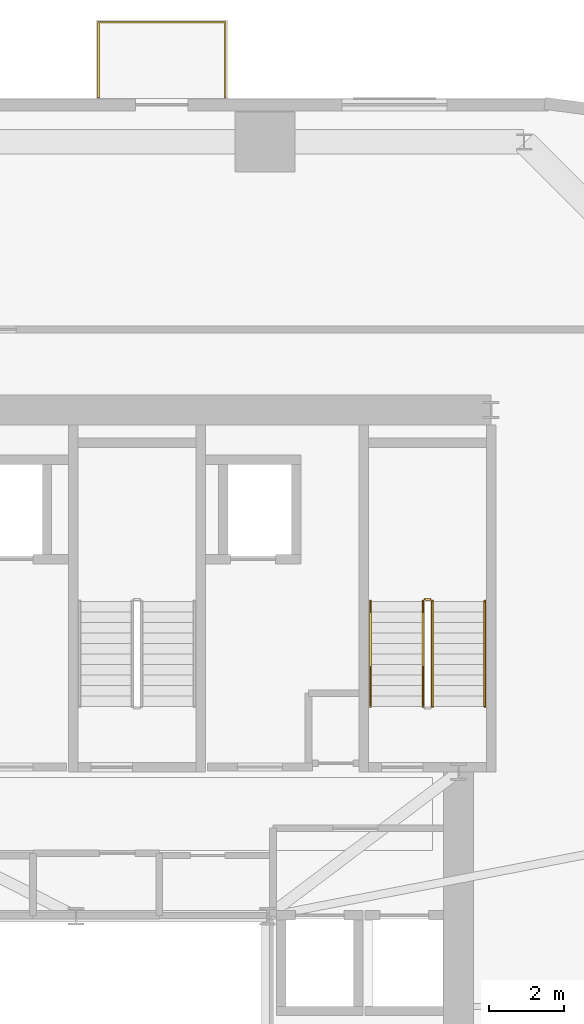
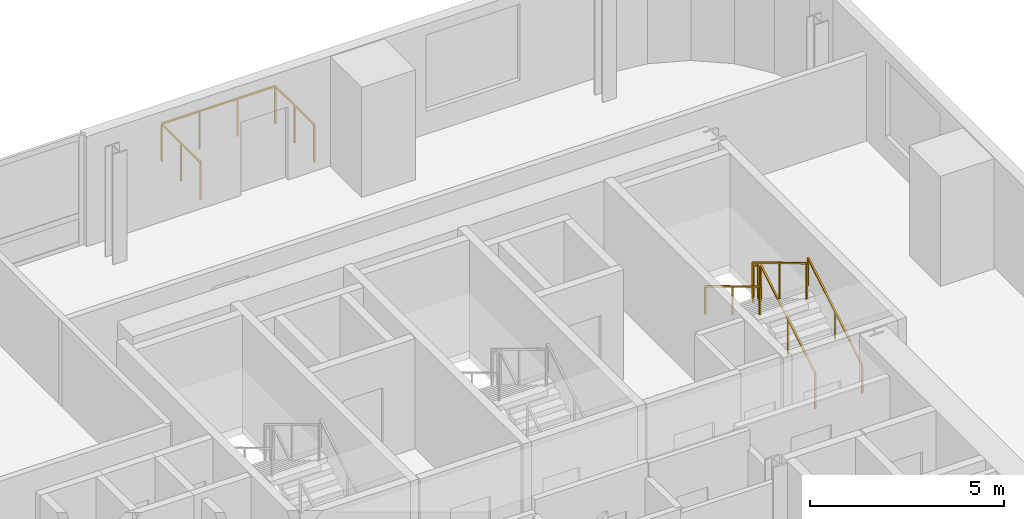
# One storey, part 14 of 14: 6 railings.
"""IFC4 building model written with IfcOpenShell, lengths in metres."""

from ifc_helpers import new_model, si_unit, direction, frame, origin, origin_2d, place, context, subcontext, project, spatial, rectangle, extrude, source, transform, mapped, material, type_object, element, save


model = new_model("IFC4")

# Units and contexts
model_context = context("Model", 3, precision=1e-05, world=origin(), true_north=direction((0.0, 1.0)))
body_context = subcontext(model_context, "Body", "Model", "MODEL_VIEW")
ifc_project = project(units=[si_unit("LENGTHUNIT", "METRE"), si_unit("AREAUNIT", "SQUARE_METRE"), si_unit("VOLUMEUNIT", "CUBIC_METRE"), si_unit("PLANEANGLEUNIT", "RADIAN"), si_unit("MASSUNIT", "GRAM", prefix="KILO")], contexts=[model_context])

# Site, building, storey
site_placement = place(None, origin())
site = spatial("IfcSite", under=ifc_project, at=site_placement, CompositionType="ELEMENT")
building_placement = place(site_placement, origin())
building = spatial("IfcBuilding", under=site, at=building_placement, Name="Vardaveli Station Tower", CompositionType="ELEMENT")
storey_placement = place(building_placement, frame((0.0, 0.0, 148.300048828125)))
storey = spatial("IfcBuildingStorey", under=building, at=storey_placement, Name="L38", CompositionType="ELEMENT", Elevation=148.300048828125)

# Railings
ifc_material_1 = material(Name="Laminated glass and stainless steel balustrade", Category="steel")
railing_type_1 = type_object("IfcRailingType", Name="RL-BAL-1200", PredefinedType="BALUSTRADE", material=ifc_material_1)
shared_shape_1 = source(origin(), body_context, "Body", "SweptSolid", [
    extrude(rectangle(XDim=0.048095703125, YDim=0.048095703125, at=origin_2d()), frame((0.0, 0.0, 1.17578125), z_axis=(0.0, 1.0, 0.0), x_axis=(-1.0, 0.0, 0.0)), (0.0, 0.0, 1.0), 2.0),
    extrude(rectangle(XDim=0.048095703125, YDim=0.048095703125, at=origin_2d()), frame((0.0, 2.0, 1.17578125), z_axis=(1.0, 0.0, 0.0), x_axis=(0.0, 1.0, 0.0)), (0.0, 0.0, 1.0), 3.3798828125),
    extrude(rectangle(XDim=0.048095703125, YDim=0.048095703125, at=origin_2d()), frame((3.3798828125, 2.0, 1.17578125), z_axis=(0.0, -1.0, 0.0), x_axis=(1.0, 0.0, 0.0)), (0.0, 0.0, 1.0), 2.0),
    extrude(rectangle(XDim=0.0419921875, YDim=0.0419921875, at=origin_2d()), origin(), (0.0, 0.0, 1.0), 1.15185546875),
    extrude(rectangle(XDim=0.0419921875, YDim=0.0419921875, at=origin_2d()), frame((0.0, 1.0, 0.0)), (0.0, 0.0, 1.0), 1.15185546875),
    extrude(rectangle(XDim=0.0419921875, YDim=0.0419921875, at=origin_2d()), frame((0.0, 2.0, 0.0)), (0.0, 0.0, 1.0), 1.15185546875),
    extrude(rectangle(XDim=0.0419921875, YDim=0.0419921875, at=origin_2d()), frame((1.126708984375, 2.0, 0.0)), (0.0, 0.0, 1.0), 1.15185546875),
    extrude(rectangle(XDim=0.0419921875, YDim=0.0419921875, at=origin_2d()), frame((2.253173828125, 2.0, 0.0)), (0.0, 0.0, 1.0), 1.15185546875),
    extrude(rectangle(XDim=0.0419921875, YDim=0.0419921875, at=origin_2d()), frame((3.3798828125, 2.0, 0.0)), (0.0, 0.0, 1.0), 1.15185546875),
    extrude(rectangle(XDim=0.0419921875, YDim=0.0419921875, at=origin_2d()), frame((3.3798828125, 1.0, 0.0)), (0.0, 0.0, 1.0), 1.15185546875),
    extrude(rectangle(XDim=0.0419921875, YDim=0.0419921875, at=origin_2d()), frame((3.3798828125, 0.0, 0.0)), (0.0, 0.0, 1.0), 1.15185546875),
])
railing_1_placement = place(storey_placement, frame((36.899658203125, 48.639892578125, 0.0)))
element("IfcRailing", 1, at=railing_1_placement, inside=storey, type_object=railing_type_1, Name="RL-LOG-L38-02", PredefinedType="BALUSTRADE", context=body_context, shape_type="MappedRepresentation", body=[
    mapped(shared_shape_1, transform((0.0, 0.0, 0.0), scale=1.0)),
])
ifc_material_2 = material(Name="Brushed AISI 316 stainless steel", Category="steel")
railing_type_2 = type_object("IfcRailingType", Name="RL-GUARD-1150", PredefinedType="GUARDRAIL", material=ifc_material_2)
shared_shape_2 = source(origin(), body_context, "Body", "SweptSolid", [
    extrude(rectangle(XDim=0.048095703125, YDim=0.048095703125, at=origin_2d()), frame((0.0, 0.0, 1.1259765625), z_axis=(-1.0, 0.0, 0.0), x_axis=(0.0, -1.0, 0.0)), (0.0, 0.0, 1.0), 0.14990234375),
    extrude(rectangle(XDim=0.0419921875, YDim=0.0419921875, at=origin_2d()), origin(), (0.0, 0.0, 1.0), 1.101806640625),
    extrude(rectangle(XDim=0.0419921875, YDim=0.0419921875, at=origin_2d()), frame((-0.14990234375, 0.0, 0.0)), (0.0, 0.0, 1.0), 1.101806640625),
])
railing_2_placement = place(storey_placement, frame((45.75, 35.25, 1.849853515625)))
element("IfcRailing", 2, at=railing_2_placement, inside=storey, type_object=railing_type_2, Name="L38 ST-3 stair guard 2", PredefinedType="GUARDRAIL", context=body_context, shape_type="MappedRepresentation", body=[
    mapped(shared_shape_2, transform((0.0, 0.0, 0.0), scale=1.0)),
])
shared_shape_3 = source(origin(), body_context, "Body", "SweptSolid", [
    extrude(rectangle(XDim=0.048095703125, YDim=0.048095703125, at=origin_2d()), frame((0.0, 0.0, 1.1259765625), z_axis=(0.0, 0.857275202839, 0.514858452973), x_axis=(-1.0, 0.0, 0.0)), (0.0, 0.0, 1.0), 3.26611328125),
    extrude(rectangle(XDim=0.0419921875, YDim=0.0419921875, at=origin_2d()), origin(), (0.0, 0.0, 1.0), 1.101806640625),
    extrude(rectangle(XDim=0.0419921875, YDim=0.0419921875, at=origin_2d()), frame((0.0, 1.39990234375, 0.8408203125)), (0.0, 0.0, 1.0), 1.101806640625),
    extrude(rectangle(XDim=0.0419921875, YDim=0.0419921875, at=origin_2d()), frame((0.0, 2.800048828125, 1.681640625)), (0.0, 0.0, 1.0), 1.101806640625),
])
railing_3_placement = place(storey_placement, frame((45.800048828125, 32.39990234375, 0.168212890625)))
element("IfcRailing", 3, at=railing_3_placement, inside=storey, type_object=railing_type_2, Name="L38 ST-3 stair guard 1", PredefinedType="GUARDRAIL", context=body_context, shape_type="MappedRepresentation", body=[
    mapped(shared_shape_3, transform((0.0, 0.0, 0.0), scale=1.0)),
])
shared_shape_4 = source(origin(), body_context, "Body", "SweptSolid", [
    extrude(rectangle(XDim=0.048095703125, YDim=0.048095703125, at=origin_2d()), frame((0.0, 0.0, 1.1259765625), z_axis=(0.0, -0.857242210791, 0.514913383045), x_axis=(1.0, 0.0, 0.0)), (0.0, 0.0, 1.0), 3.266357421875),
    extrude(rectangle(XDim=0.0419921875, YDim=0.0419921875, at=origin_2d()), origin(), (0.0, 0.0, 1.0), 1.101806640625),
    extrude(rectangle(XDim=0.0419921875, YDim=0.0419921875, at=origin_2d()), frame((0.0, -1.39990234375, 0.8408203125)), (0.0, 0.0, 1.0), 1.101806640625),
    extrude(rectangle(XDim=0.0419921875, YDim=0.0419921875, at=origin_2d()), frame((0.0, -2.800048828125, 1.681884765625)), (0.0, 0.0, 1.0), 1.101806640625),
])
railing_4_placement = place(storey_placement, frame((45.550048828125, 35.199951171875, 2.01806640625)))
element("IfcRailing", 4, at=railing_4_placement, inside=storey, type_object=railing_type_2, Name="L38 ST-3 stair guard 3", PredefinedType="GUARDRAIL", context=body_context, shape_type="MappedRepresentation", body=[
    mapped(shared_shape_4, transform((0.0, 0.0, 0.0), scale=1.0)),
])
railing_type_3 = type_object("IfcRailingType", Name="RL-HAND-900", PredefinedType="HANDRAIL", material=ifc_material_2)
shared_shape_5 = source(origin(), body_context, "Body", "SweptSolid", [
    extrude(rectangle(XDim=0.048095703125, YDim=0.048095703125, at=origin_2d()), frame((0.0, 0.0, 0.8759765625), z_axis=(0.0, 0.857275202839, 0.514858452973), x_axis=(-1.0, 0.0, 0.0)), (0.0, 0.0, 1.0), 3.26611328125),
    extrude(rectangle(XDim=0.0419921875, YDim=0.0419921875, at=origin_2d()), origin(), (0.0, 0.0, 1.0), 0.851806640625),
    extrude(rectangle(XDim=0.0419921875, YDim=0.0419921875, at=origin_2d()), frame((0.0, 1.39990234375, 0.8408203125)), (0.0, 0.0, 1.0), 0.851806640625),
    extrude(rectangle(XDim=0.0419921875, YDim=0.0419921875, at=origin_2d()), frame((0.0, 2.800048828125, 1.681640625)), (0.0, 0.0, 1.0), 0.851806640625),
])
railing_5_placement = place(storey_placement, frame((47.199951171875, 32.39990234375, 0.168212890625)))
element("IfcRailing", 5, at=railing_5_placement, inside=storey, type_object=railing_type_3, Name="L38 ST-3 stair handrail 1", PredefinedType="HANDRAIL", context=body_context, shape_type="MappedRepresentation", body=[
    mapped(shared_shape_5, transform((0.0, 0.0, 0.0), scale=1.0)),
])
shared_shape_6 = source(origin(), body_context, "Body", "SweptSolid", [
    extrude(rectangle(XDim=0.048095703125, YDim=0.048095703125, at=origin_2d()), frame((0.0, 0.0, 0.8759765625), z_axis=(0.0, -0.857242210791, 0.514913383045), x_axis=(1.0, 0.0, 0.0)), (0.0, 0.0, 1.0), 3.266357421875),
    extrude(rectangle(XDim=0.0419921875, YDim=0.0419921875, at=origin_2d()), origin(), (0.0, 0.0, 1.0), 0.851806640625),
    extrude(rectangle(XDim=0.0419921875, YDim=0.0419921875, at=origin_2d()), frame((0.0, -1.39990234375, 0.8408203125)), (0.0, 0.0, 1.0), 0.851806640625),
    extrude(rectangle(XDim=0.0419921875, YDim=0.0419921875, at=origin_2d()), frame((0.0, -2.800048828125, 1.681884765625)), (0.0, 0.0, 1.0), 0.851806640625),
])
railing_6_placement = place(storey_placement, frame((44.14990234375, 35.199951171875, 2.01806640625)))
element("IfcRailing", 6, at=railing_6_placement, inside=storey, type_object=railing_type_3, Name="L38 ST-3 stair handrail 2", PredefinedType="HANDRAIL", context=body_context, shape_type="MappedRepresentation", body=[
    mapped(shared_shape_6, transform((0.0, 0.0, 0.0), scale=1.0)),
])

save(model, "model.ifc")
